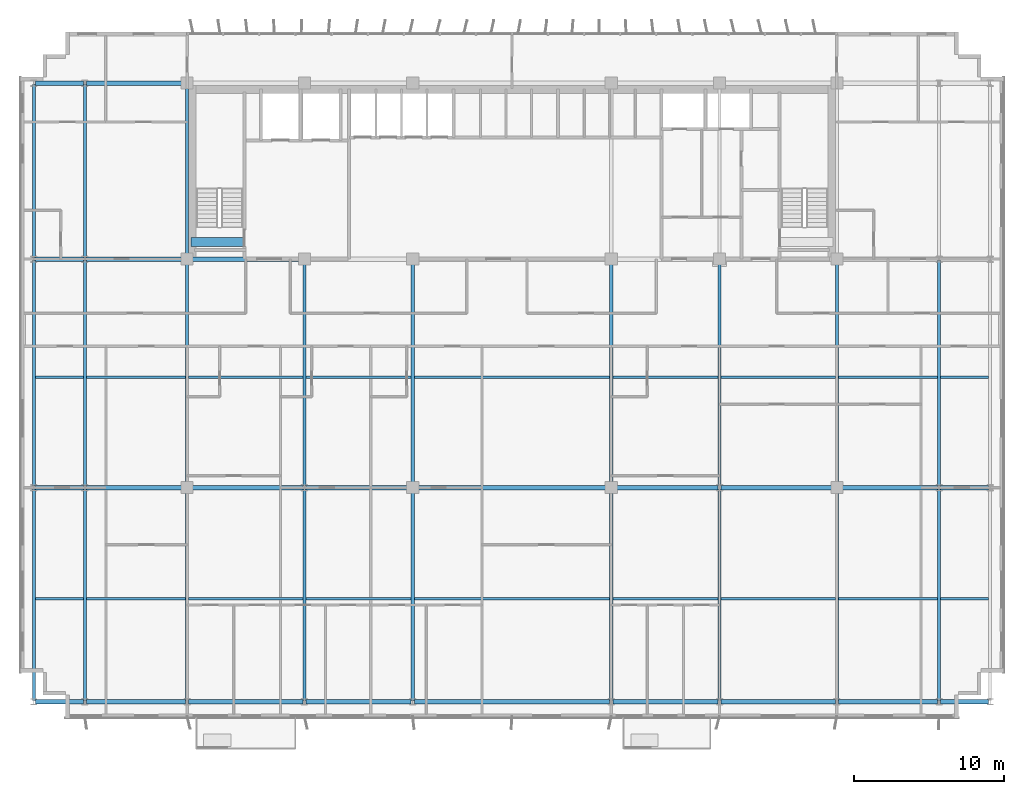
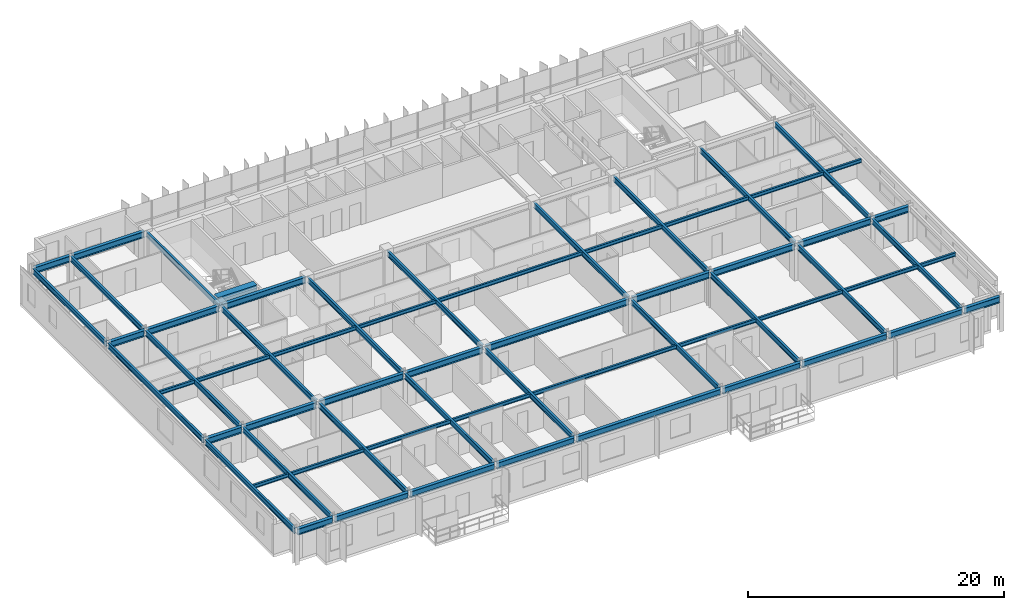
# One storey, part 4 of 22: 63 beams.
"""IFC4 building model written with IfcOpenShell, lengths in metres."""

import ifcopenshell
import ifcopenshell.guid

model = None  # the IFC model being written
_history = None  # IfcOwnerHistory: only IFC2X3 demands one
_inside = {}  # id of a spatial element -> (the spatial element, [elements in it])
_under = {}  # id of a project, library or spatial element -> (it, [spatial elements below it])
_declared = {}  # id of a project -> (the project, [libraries it declares])
_typed = {}  # id of a type object -> (the type object, [elements of that type])
_made_of = {}  # id of a material, layer set ... -> (it, [elements and type objects made of it])


def new_model(schema):
    """Start an empty IFC model of exactly this schema.

    Asked for "IFC4X3", IfcOpenShell would pick the latest addendum, in which some entities
    have other attributes; the version numbers below select the first issue.
    IFC2X3 requires an IfcOwnerHistory on every rooted entity: one is made here for all.
    """
    global model, _history
    if schema == "IFC4X3":
        model = ifcopenshell.file(schema_version=(4, 3, 0, 0))
    else:
        model = ifcopenshell.file(schema=schema)
    _inside.clear()
    _under.clear()
    _declared.clear()
    _typed.clear()
    _made_of.clear()
    _history = None
    if model.schema == "IFC2X3":
        org = make("IfcOrganization", Name="unknown")
        user = make(
            "IfcPersonAndOrganization",
            ThePerson=make("IfcPerson", FamilyName="unknown"),
            TheOrganization=org,
        )
        app = make(
            "IfcApplication",
            ApplicationDeveloper=org,
            Version="unknown",
            ApplicationFullName="unknown",
            ApplicationIdentifier="unknown",
        )
        _history = make(
            "IfcOwnerHistory",
            OwningUser=user,
            OwningApplication=app,
            ChangeAction="ADDED",
            CreationDate=0,
        )
    return model


def make(cls, **values):
    """One entity of the class cls with the attributes given. An attribute that is None is left unset."""
    return model.create_entity(
        cls, **{name: value for name, value in values.items() if value is not None}
    )


def rooted(cls, **values):
    """An entity with a GlobalId (a new one), such as an element, a storey or a relation."""
    return make(cls, GlobalId=ifcopenshell.guid.new(), OwnerHistory=_history, **values)


def si_unit(unit_type, name, prefix=None):
    """IfcSIUnit, for example si_unit("LENGTHUNIT", "METRE", prefix="MILLI")."""
    return make("IfcSIUnit", UnitType=unit_type, Prefix=prefix, Name=name)


def assignment(units):
    """IfcUnitAssignment: the units of a project."""
    return None if units is None else make("IfcUnitAssignment", Units=units)


def point(xyz):
    """IfcCartesianPoint."""
    return None if xyz is None else make("IfcCartesianPoint", Coordinates=xyz)


def direction(xyz):
    """IfcDirection."""
    return None if xyz is None else make("IfcDirection", DirectionRatios=xyz)


def frame(location, z_axis=None, x_axis=None):
    """IfcAxis2Placement3D, a coordinate frame: its origin and axes. An axis left out is left unset."""
    return make(
        "IfcAxis2Placement3D",
        Location=point(location),
        Axis=direction(z_axis),
        RefDirection=direction(x_axis),
    )


def frame_2d(location, x_axis=None):
    """IfcAxis2Placement2D, a coordinate frame in the plane: its origin and x axis."""
    return make(
        "IfcAxis2Placement2D", Location=point(location), RefDirection=direction(x_axis)
    )


def origin():
    """The frame at (0, 0, 0) with its axes left unset."""
    return frame((0.0, 0.0, 0.0))


def origin_2d():
    """The frame at (0, 0) in the plane with its x axis left unset."""
    return frame_2d((0.0, 0.0))


def place(relative_to, where):
    """IfcLocalPlacement: puts the frame where relative to a parent placement (None: the world)."""
    return make(
        "IfcLocalPlacement", PlacementRelTo=relative_to, RelativePlacement=where
    )


def context(
    kind, dimensions, precision=None, world=None, true_north=None, identifier=None
):
    """IfcGeometricRepresentationContext, for example the 3D "Model" context."""
    return make(
        "IfcGeometricRepresentationContext",
        ContextIdentifier=identifier,
        ContextType=kind,
        CoordinateSpaceDimension=dimensions,
        Precision=precision,
        WorldCoordinateSystem=world,
        TrueNorth=true_north,
    )


def subcontext(parent, identifier, kind, view, scale=None):
    """IfcGeometricRepresentationSubContext, for example "Body" below "Model"."""
    return make(
        "IfcGeometricRepresentationSubContext",
        ContextIdentifier=identifier,
        ContextType=kind,
        ParentContext=parent,
        TargetScale=scale,
        TargetView=view,
    )


def project(units=None, contexts=None):
    """IfcProject with its units and contexts."""
    return rooted(
        "IfcProject",
        Name="project",
        RepresentationContexts=contexts,
        UnitsInContext=assignment(units),
    )


def spatial(cls, under=None, at=None, **own):
    """A site, building, storey or space (cls), placed at a placement, below another one or the project."""
    s = rooted(cls, ObjectPlacement=at, **own)
    if under is not None:
        _under.setdefault(under.id(), (under, []))[1].append(s)
    return s


def profile(cls, at=None, kind="AREA", **sizes):
    """A parametric profile (cls). Its sizes go by their IFC names, for example OverallWidth=200.0."""
    return make(cls, ProfileType=kind, Position=at, **sizes)


def rectangle(**sizes):
    """IfcRectangleProfileDef."""
    return profile("IfcRectangleProfileDef", **sizes)


def i_section(**sizes):
    """IfcIShapeProfileDef."""
    return profile("IfcIShapeProfileDef", **sizes)


def extrude(swept, where, along, depth):
    """IfcExtrudedAreaSolid: the profile swept, set in the frame where, extruded along a direction by depth."""
    return make(
        "IfcExtrudedAreaSolid",
        SweptArea=swept,
        Position=where,
        ExtrudedDirection=direction(along),
        Depth=depth,
    )


def shape(context_of_items, identifier, shape_type, items):
    """IfcShapeRepresentation: the items that make up one representation, for example the "Body"."""
    return make(
        "IfcShapeRepresentation",
        ContextOfItems=context_of_items,
        RepresentationIdentifier=identifier,
        RepresentationType=shape_type,
        Items=items,
    )


def source(mapping_origin, context_of_items, identifier, shape_type, items):
    """IfcRepresentationMap: a shape defined once, which mapped items show again and again."""
    return make(
        "IfcRepresentationMap",
        MappingOrigin=mapping_origin,
        MappedRepresentation=shape(context_of_items, identifier, shape_type, items),
    )


def transform(
    local_origin,
    x_axis=None,
    y_axis=None,
    z_axis=None,
    scale=None,
    scale2=None,
    scale3=None,
    uniform=True,
):
    """IfcCartesianTransformationOperator3D, or its non-uniform kind. x_axis, y_axis, z_axis: its Axis1, 2, 3."""
    if uniform:
        return make(
            "IfcCartesianTransformationOperator3D",
            Axis1=direction(x_axis),
            Axis2=direction(y_axis),
            LocalOrigin=point(local_origin),
            Scale=scale,
            Axis3=direction(z_axis),
        )
    return make(
        "IfcCartesianTransformationOperator3DnonUniform",
        Axis1=direction(x_axis),
        Axis2=direction(y_axis),
        LocalOrigin=point(local_origin),
        Scale=scale,
        Axis3=direction(z_axis),
        Scale2=scale2,
        Scale3=scale3,
    )


def mapped(mapping_source, mapping_target):
    """IfcMappedItem: shows the shape of a source again, moved by a transform."""
    return make(
        "IfcMappedItem", MappingSource=mapping_source, MappingTarget=mapping_target
    )


def material(Name=None, Category=None):
    """IfcMaterial."""
    return make("IfcMaterial", Name=Name, Category=Category)


def material_profile(
    of_material, cross_section, Name=None, Category=None, Priority=None
):
    """IfcMaterialProfile: a cross section and its material."""
    return make(
        "IfcMaterialProfile",
        Name=Name,
        Material=of_material,
        Profile=cross_section,
        Priority=Priority,
        Category=Category,
    )


def profile_set(profiles, Name=None, composite=None):
    """IfcMaterialProfileSet."""
    return make(
        "IfcMaterialProfileSet",
        Name=Name,
        MaterialProfiles=profiles,
        CompositeProfile=composite,
    )


def made_of(thing, what):
    """Note that an element or type object is made of a material, layer set ...; save() writes the relation."""
    if what is not None:
        _made_of.setdefault(what.id(), (what, []))[1].append(thing)
    return thing


def type_object(cls, material=None, **own):
    """A type object (cls), such as IfcWallType, which elements share."""
    return made_of(rooted(cls, **own), material)


def element(
    cls,
    number,
    at=None,
    inside=None,
    cuts=None,
    type_object=None,
    material=None,
    context=None,
    identifier="Body",
    shape_type=None,
    held_by="IfcProductDefinitionShape",
    body=None,
    shapes=None,
    **own,
):
    """One element of the class cls, such as IfcWall. Its Tag is "e" and its number.

    at: its placement. inside: the storey or other place that contains it. cuts: it is an
    opening in that element (IfcRelVoidsElement). A single representation is given by context,
    identifier, shape_type and body (its items); several are given by shapes. held_by: the class
    of the entity that holds the representations. save() writes the other relations.
    """
    e = rooted(cls, Tag="e%d" % number, ObjectPlacement=at, **own)
    if body is not None:
        shapes = [shape(context, identifier, shape_type, body)]
    if shapes is not None:
        e.Representation = make(held_by, Representations=shapes)
    if inside is not None:
        _inside.setdefault(inside.id(), (inside, []))[1].append(e)
    if cuts is not None:
        rooted(
            "IfcRelVoidsElement", RelatingBuildingElement=cuts, RelatedOpeningElement=e
        )
    if type_object is not None:
        _typed.setdefault(type_object.id(), (type_object, []))[1].append(e)
    return made_of(e, material)


def aggregate(whole, parts):
    """IfcRelAggregates: a whole, such as a stair, and the parts it consists of."""
    return rooted("IfcRelAggregates", RelatingObject=whole, RelatedObjects=parts)


def save(model, path):
    """Write the relations noted so far, then the file.

    IfcRelAggregates (storeys below a building ...), IfcRelContainedInSpatialStructure (elements
    in a storey), IfcRelDefinesByType, IfcRelAssociatesMaterial and IfcRelDeclares: one each for
    every whole, place, type object, material and project.
    """
    for whole, parts in _under.values():
        aggregate(whole, parts)
    for where, things in _inside.values():
        rooted(
            "IfcRelContainedInSpatialStructure",
            RelatedElements=things,
            RelatingStructure=where,
        )
    for kind, things in _typed.values():
        rooted("IfcRelDefinesByType", RelatedObjects=things, RelatingType=kind)
    for what, things in _made_of.values():
        rooted("IfcRelAssociatesMaterial", RelatedObjects=things, RelatingMaterial=what)
    for by, libraries in _declared.values():
        rooted("IfcRelDeclares", RelatingContext=by, RelatedDefinitions=libraries)
    model.write(path)


model = new_model("IFC4")

# Units and contexts
model_context = context("Model", 3, precision=1e-05, world=origin(), true_north=direction((0.0, 1.0)))
body_context = subcontext(model_context, "Body", "Model", "MODEL_VIEW")
ifc_project = project(units=[si_unit("LENGTHUNIT", "METRE"), si_unit("AREAUNIT", "SQUARE_METRE"), si_unit("VOLUMEUNIT", "CUBIC_METRE"), si_unit("PLANEANGLEUNIT", "RADIAN"), si_unit("MASSUNIT", "GRAM", prefix="KILO")], contexts=[model_context])

# Site, building, storey
site_placement = place(None, origin())
site = spatial("IfcSite", under=ifc_project, at=site_placement, CompositionType="ELEMENT")
building_placement = place(site_placement, origin())
building = spatial("IfcBuilding", under=site, at=building_placement, Name="Trelvane Seafront Commons", CompositionType="ELEMENT")
storey_placement = place(building_placement, frame((0.0, 0.0, 114.10009765625)))
storey = spatial("IfcBuildingStorey", under=building, at=storey_placement, Name="L29", CompositionType="ELEMENT", Elevation=114.10009765625)

# Beams
ifc_material_1 = material(Name="Concrete C60/75", Category="concrete")
ifc_material_profile_1 = material_profile(ifc_material_1, rectangle(XDim=0.60009765625, YDim=0.89990234375, at=origin_2d()), Name="RC-600x900")
ifc_profile_set_1 = profile_set([ifc_material_profile_1], Name="Concrete C60/75")
beam_type_1 = type_object("IfcBeamType", Name="STR-LNT-RC600x900", PredefinedType="LINTEL", material=ifc_profile_set_1)
shared_shape_1 = source(origin(), body_context, "Body", "SweptSolid", [
    extrude(rectangle(XDim=0.60009765625, YDim=0.89990234375, at=origin_2d()), origin(), (0.0, 0.0, 1.0), 3.5498046875),
])
beam_1_placement = place(storey_placement, frame((15.85009765625, 34.550048828125, 2.889892578125), z_axis=(1.0, 0.0, 0.0), x_axis=(0.0, 1.0, 0.0)))
element("IfcBeam", 1, at=beam_1_placement, inside=storey, type_object=beam_type_1, Name="L29 Core Coupling Lintel Beam CB-85", PredefinedType="LINTEL", context=body_context, shape_type="MappedRepresentation", body=[
    mapped(shared_shape_1, transform((0.0, 0.0, 0.0), x_axis=(1.0, 0.0, 0.0), y_axis=(0.0, 1.0, 0.0), z_axis=(0.0, 0.0, 1.0), scale=1.0)),
])
ifc_material_2 = material(Name="Steel SM355 (S355)", Category="steel")
ifc_material_profile_2 = material_profile(ifc_material_2, i_section(OverallWidth=0.300048828125, OverallDepth=0.587890625, WebThickness=0.011962890625, FlangeThickness=0.02001953125, at=origin_2d()), Name="H-588x300x12x20")
ifc_profile_set_2 = profile_set([ifc_material_profile_2], Name="Steel SM355 (S355)")
beam_type_2 = type_object("IfcBeamType", Name="STR-BM-H588", PredefinedType="BEAM", material=ifc_profile_set_2)
shared_shape_2 = source(origin(), body_context, "Body", "SweptSolid", [
    extrude(i_section(OverallWidth=0.300048828125, OverallDepth=0.587890625, WebThickness=0.011962890625, FlangeThickness=0.02001953125, at=origin_2d()), origin(), (0.0, 0.0, 1.0), 7.550048828125),
])
beam_2_placement = place(storey_placement, frame((15.75, 18.199951171875, 3.0458984375), z_axis=(1.0, 0.0, 0.0), x_axis=(0.0, 1.0, 0.0)))
element("IfcBeam", 2, at=beam_2_placement, inside=storey, type_object=beam_type_2, Name="L29 Primary Girder G-12", PredefinedType="BEAM", context=body_context, shape_type="MappedRepresentation", body=[
    mapped(shared_shape_2, transform((0.0, 0.0, 0.0), x_axis=(1.0, 0.0, 0.0), y_axis=(0.0, 1.0, 0.0), z_axis=(0.0, 0.0, 1.0), scale=1.0)),
])
shared_shape_3 = source(origin(), body_context, "Body", "SweptSolid", [
    extrude(i_section(OverallWidth=0.300048828125, OverallDepth=0.587890625, WebThickness=0.011962890625, FlangeThickness=0.02001953125, at=origin_2d()), origin(), (0.0, 0.0, 1.0), 3.199951171875),
])
for number, where, z_axis, x_axis, name in (
    (3, (5.5, 3.949951171875, 3.0458984375), (1.0, 0.0, 0.0), (0.0, 1.0, 0.0), "L29 Primary Girder G-01"),
    (4, (65.699951171875, 3.949951171875, 3.0458984375), (1.0, 0.0, 0.0), (0.0, 1.0, 0.0), "L29 Primary Girder G-09"),
    (5, (5.5, 18.199951171875, 3.0458984375), (1.0, 0.0, 0.0), (0.0, 1.0, 0.0), "L29 Primary Girder G-10"),
    (6, (65.699951171875, 18.199951171875, 3.0458984375), (1.0, 0.0, 0.0), (0.0, 1.0, 0.0), "L29 Primary Girder G-18"),
    (7, (5.5, 33.39990234375, 3.0458984375), (1.0, 0.0, 0.0), (0.0, 1.0, 0.0), "L29 Primary Girder G-19"),
    (8, (5.5, 45.10009765625, 3.0458984375), (1.0, 0.0, 0.0), (0.0, 1.0, 0.0), "L29 Primary Girder G-28"),
):
    element("IfcBeam", number, at=place(storey_placement, frame(where, z_axis=z_axis, x_axis=x_axis)), inside=storey, type_object=beam_type_2, Name=name, PredefinedType="BEAM", context=body_context, shape_type="MappedRepresentation", body=[
        mapped(shared_shape_3, transform((0.0, 0.0, 0.0), x_axis=(1.0, 0.0, 0.0), y_axis=(0.0, 1.0, 0.0), z_axis=(0.0, 0.0, 1.0), scale=1.0)),
    ])
shared_shape_4 = source(origin(), body_context, "Body", "SweptSolid", [
    extrude(i_section(OverallWidth=0.300048828125, OverallDepth=0.587890625, WebThickness=0.011962890625, FlangeThickness=0.02001953125, at=origin_2d()), origin(), (0.0, 0.0, 1.0), 6.60009765625),
])
for number, where, z_axis, x_axis, name in (
    (9, (8.89990234375, 3.949951171875, 3.0458984375), (1.0, 0.0, 0.0), (0.0, 1.0, 0.0), "L29 Primary Girder G-02"),
    (10, (58.89990234375, 3.949951171875, 3.0458984375), (1.0, 0.0, 0.0), (0.0, 1.0, 0.0), "L29 Primary Girder G-08"),
):
    element("IfcBeam", number, at=place(storey_placement, frame(where, z_axis=z_axis, x_axis=x_axis)), inside=storey, type_object=beam_type_2, Name=name, PredefinedType="BEAM", context=body_context, shape_type="MappedRepresentation", body=[
        mapped(shared_shape_4, transform((0.0, 0.0, 0.0), x_axis=(1.0, 0.0, 0.0), y_axis=(0.0, 1.0, 0.0), z_axis=(0.0, 0.0, 1.0), scale=1.0)),
    ])
shared_shape_5 = source(origin(), body_context, "Body", "SweptSolid", [
    extrude(i_section(OverallWidth=0.300048828125, OverallDepth=0.587890625, WebThickness=0.011962890625, FlangeThickness=0.02001953125, at=origin_2d()), origin(), (0.0, 0.0, 1.0), 7.60009765625),
])
beam_3_placement = place(storey_placement, frame((15.699951171875, 3.949951171875, 3.0458984375), z_axis=(1.0, 0.0, 0.0), x_axis=(0.0, 1.0, 0.0)))
element("IfcBeam", 11, at=beam_3_placement, inside=storey, type_object=beam_type_2, Name="L29 Primary Girder G-03", PredefinedType="BEAM", context=body_context, shape_type="MappedRepresentation", body=[
    mapped(shared_shape_5, transform((0.0, 0.0, 0.0), x_axis=(1.0, 0.0, 0.0), y_axis=(0.0, 1.0, 0.0), z_axis=(0.0, 0.0, 1.0), scale=1.0)),
])
shared_shape_6 = source(origin(), body_context, "Body", "SweptSolid", [
    extrude(i_section(OverallWidth=0.300048828125, OverallDepth=0.587890625, WebThickness=0.011962890625, FlangeThickness=0.02001953125, at=origin_2d()), origin(), (0.0, 0.0, 1.0), 7.0),
])
for number, where, z_axis, x_axis, name in (
    (12, (23.5, 3.949951171875, 3.0458984375), (1.0, 0.0, 0.0), (0.0, 1.0, 0.0), "L29 Primary Girder G-04"),
    (13, (43.89990234375, 3.949951171875, 3.0458984375), (1.0, 0.0, 0.0), (0.0, 1.0, 0.0), "L29 Primary Girder G-06"),
):
    element("IfcBeam", number, at=place(storey_placement, frame(where, z_axis=z_axis, x_axis=x_axis)), inside=storey, type_object=beam_type_2, Name=name, PredefinedType="BEAM", context=body_context, shape_type="MappedRepresentation", body=[
        mapped(shared_shape_6, transform((0.0, 0.0, 0.0), x_axis=(1.0, 0.0, 0.0), y_axis=(0.0, 1.0, 0.0), z_axis=(0.0, 0.0, 1.0), scale=1.0)),
    ])
shared_shape_7 = source(origin(), body_context, "Body", "SweptSolid", [
    extrude(i_section(OverallWidth=0.300048828125, OverallDepth=0.587890625, WebThickness=0.011962890625, FlangeThickness=0.02001953125, at=origin_2d()), origin(), (0.0, 0.0, 1.0), 13.0),
])
beam_4_placement = place(storey_placement, frame((30.699951171875, 3.949951171875, 3.0458984375), z_axis=(1.0, 0.0, 0.0), x_axis=(0.0, 1.0, 0.0)))
element("IfcBeam", 14, at=beam_4_placement, inside=storey, type_object=beam_type_2, Name="L29 Primary Girder G-05", PredefinedType="BEAM", context=body_context, shape_type="MappedRepresentation", body=[
    mapped(shared_shape_7, transform((0.0, 0.0, 0.0), x_axis=(1.0, 0.0, 0.0), y_axis=(0.0, 1.0, 0.0), z_axis=(0.0, 0.0, 1.0), scale=1.0)),
])
shared_shape_8 = source(origin(), body_context, "Body", "SweptSolid", [
    extrude(i_section(OverallWidth=0.300048828125, OverallDepth=0.587890625, WebThickness=0.011962890625, FlangeThickness=0.02001953125, at=origin_2d()), origin(), (0.0, 0.0, 1.0), 7.599853515625),
])
beam_5_placement = place(storey_placement, frame((51.10009765625, 3.949951171875, 3.0458984375), z_axis=(1.0, 0.0, 0.0), x_axis=(0.0, 1.0, 0.0)))
element("IfcBeam", 15, at=beam_5_placement, inside=storey, type_object=beam_type_2, Name="L29 Primary Girder G-07", PredefinedType="BEAM", context=body_context, shape_type="MappedRepresentation", body=[
    mapped(shared_shape_8, transform((0.0, 0.0, 0.0), x_axis=(1.0, 0.0, 0.0), y_axis=(0.0, 1.0, 0.0), z_axis=(0.0, 0.0, 1.0), scale=1.0)),
])
shared_shape_9 = source(origin(), body_context, "Body", "SweptSolid", [
    extrude(i_section(OverallWidth=0.300048828125, OverallDepth=0.587890625, WebThickness=0.011962890625, FlangeThickness=0.02001953125, at=origin_2d()), origin(), (0.0, 0.0, 1.0), 6.550048828125),
])
for number, where, z_axis, x_axis, name in (
    (16, (8.89990234375, 18.199951171875, 3.0458984375), (1.0, 0.0, 0.0), (0.0, 1.0, 0.0), "L29 Primary Girder G-11"),
    (17, (58.949951171875, 18.199951171875, 3.0458984375), (1.0, 0.0, 0.0), (0.0, 1.0, 0.0), "L29 Primary Girder G-17"),
    (18, (8.89990234375, 33.39990234375, 3.0458984375), (1.0, 0.0, 0.0), (0.0, 1.0, 0.0), "L29 Primary Girder G-20"),
    (19, (8.89990234375, 45.10009765625, 3.0458984375), (1.0, 0.0, 0.0), (0.0, 1.0, 0.0), "L29 Primary Girder G-29"),
):
    element("IfcBeam", number, at=place(storey_placement, frame(where, z_axis=z_axis, x_axis=x_axis)), inside=storey, type_object=beam_type_2, Name=name, PredefinedType="BEAM", context=body_context, shape_type="MappedRepresentation", body=[
        mapped(shared_shape_9, transform((0.0, 0.0, 0.0), x_axis=(1.0, 0.0, 0.0), y_axis=(0.0, 1.0, 0.0), z_axis=(0.0, 0.0, 1.0), scale=1.0)),
    ])
shared_shape_10 = source(origin(), body_context, "Body", "SweptSolid", [
    extrude(i_section(OverallWidth=0.300048828125, OverallDepth=0.587890625, WebThickness=0.011962890625, FlangeThickness=0.02001953125, at=origin_2d()), origin(), (0.0, 0.0, 1.0), 6.949951171875),
])
for number, where, z_axis, x_axis, name in (
    (20, (23.5, 18.199951171875, 3.0458984375), (1.0, 0.0, 0.0), (0.0, 1.0, 0.0), "L29 Primary Girder G-13"),
    (21, (43.949951171875, 18.199951171875, 3.0458984375), (1.0, 0.0, 0.0), (0.0, 1.0, 0.0), "L29 Primary Girder G-15"),
):
    element("IfcBeam", number, at=place(storey_placement, frame(where, z_axis=z_axis, x_axis=x_axis)), inside=storey, type_object=beam_type_2, Name=name, PredefinedType="BEAM", context=body_context, shape_type="MappedRepresentation", body=[
        mapped(shared_shape_10, transform((0.0, 0.0, 0.0), x_axis=(1.0, 0.0, 0.0), y_axis=(0.0, 1.0, 0.0), z_axis=(0.0, 0.0, 1.0), scale=1.0)),
    ])
shared_shape_11 = source(origin(), body_context, "Body", "SweptSolid", [
    extrude(i_section(OverallWidth=0.300048828125, OverallDepth=0.587890625, WebThickness=0.011962890625, FlangeThickness=0.02001953125, at=origin_2d()), origin(), (0.0, 0.0, 1.0), 12.89990234375),
])
beam_6_placement = place(storey_placement, frame((30.75, 18.199951171875, 3.0458984375), z_axis=(1.0, 0.0, 0.0), x_axis=(0.0, 1.0, 0.0)))
element("IfcBeam", 22, at=beam_6_placement, inside=storey, type_object=beam_type_2, Name="L29 Primary Girder G-14", PredefinedType="BEAM", context=body_context, shape_type="MappedRepresentation", body=[
    mapped(shared_shape_11, transform((0.0, 0.0, 0.0), x_axis=(1.0, 0.0, 0.0), y_axis=(0.0, 1.0, 0.0), z_axis=(0.0, 0.0, 1.0), scale=1.0)),
])
shared_shape_12 = source(origin(), body_context, "Body", "SweptSolid", [
    extrude(i_section(OverallWidth=0.300048828125, OverallDepth=0.587890625, WebThickness=0.011962890625, FlangeThickness=0.02001953125, at=origin_2d()), origin(), (0.0, 0.0, 1.0), 7.5498046875),
])
beam_7_placement = place(storey_placement, frame((51.10009765625, 18.199951171875, 3.0458984375), z_axis=(1.0, 0.0, 0.0), x_axis=(0.0, 1.0, 0.0)))
element("IfcBeam", 23, at=beam_7_placement, inside=storey, type_object=beam_type_2, Name="L29 Primary Girder G-16", PredefinedType="BEAM", context=body_context, shape_type="MappedRepresentation", body=[
    mapped(shared_shape_12, transform((0.0, 0.0, 0.0), x_axis=(1.0, 0.0, 0.0), y_axis=(0.0, 1.0, 0.0), z_axis=(0.0, 0.0, 1.0), scale=1.0)),
])
shared_shape_13 = source(origin(), body_context, "Body", "SweptSolid", [
    extrude(i_section(OverallWidth=0.300048828125, OverallDepth=0.587890625, WebThickness=0.011962890625, FlangeThickness=0.02001953125, at=origin_2d()), origin(), (0.0, 0.0, 1.0), 7.5),
])
beam_8_placement = place(storey_placement, frame((15.75, 33.39990234375, 3.0458984375), z_axis=(1.0, 0.0, 0.0), x_axis=(0.0, 1.0, 0.0)))
element("IfcBeam", 24, at=beam_8_placement, inside=storey, type_object=beam_type_2, Name="L29 Primary Girder G-21", PredefinedType="BEAM", context=body_context, shape_type="MappedRepresentation", body=[
    mapped(shared_shape_13, transform((0.0, 0.0, 0.0), x_axis=(1.0, 0.0, 0.0), y_axis=(0.0, 1.0, 0.0), z_axis=(0.0, 0.0, 1.0), scale=1.0)),
])
ifc_material_profile_3 = material_profile(ifc_material_2, i_section(OverallWidth=0.199951171875, OverallDepth=0.5, WebThickness=0.010009765625, FlangeThickness=0.01611328125, at=origin_2d()), Name="H-500x200x10x16")
ifc_profile_set_3 = profile_set([ifc_material_profile_3], Name="Steel SM355 (S355)")
beam_type_3 = type_object("IfcBeamType", Name="STR-BM-H500", PredefinedType="BEAM", material=ifc_profile_set_3)
shared_shape_14 = source(origin(), body_context, "Body", "SweptSolid", [
    extrude(i_section(OverallWidth=0.199951171875, OverallDepth=0.5, WebThickness=0.010009765625, FlangeThickness=0.01611328125, at=origin_2d()), origin(), (0.0, 0.0, 1.0), 14.050048828125),
])
for number, where, z_axis, x_axis, name in (
    (25, (5.39990234375, 4.050048828125, 3.08984375), (0.0, 1.0, 0.0), (-1.0, 0.0, 0.0), "L29 Primary Girder G-37"),
    (26, (8.800048828125, 4.050048828125, 3.08984375), (0.0, 1.0, 0.0), (-1.0, 0.0, 0.0), "L29 Primary Girder G-40"),
    (27, (23.39990234375, 4.050048828125, 3.08984375), (0.0, 1.0, 0.0), (-1.0, 0.0, 0.0), "L29 Primary Girder G-46"),
    (28, (51.0, 4.050048828125, 3.08984375), (0.0, 1.0, 0.0), (-1.0, 0.0, 0.0), "L29 Primary Girder G-55"),
    (29, (65.60009765625, 4.050048828125, 3.08984375), (0.0, 1.0, 0.0), (-1.0, 0.0, 0.0), "L29 Primary Girder G-61"),
):
    element("IfcBeam", number, at=place(storey_placement, frame(where, z_axis=z_axis, x_axis=x_axis)), inside=storey, type_object=beam_type_3, Name=name, PredefinedType="BEAM", context=body_context, shape_type="MappedRepresentation", body=[
        mapped(shared_shape_14, transform((0.0, 0.0, 0.0), x_axis=(1.0, 0.0, 0.0), y_axis=(0.0, 1.0, 0.0), z_axis=(0.0, 0.0, 1.0), scale=1.0)),
    ])
shared_shape_15 = source(origin(), body_context, "Body", "SweptSolid", [
    extrude(i_section(OverallWidth=0.199951171875, OverallDepth=0.5, WebThickness=0.010009765625, FlangeThickness=0.01611328125, at=origin_2d()), origin(), (0.0, 0.0, 1.0), 15.0),
])
for number, where, z_axis, x_axis, name in (
    (30, (5.39990234375, 18.300048828125, 3.08984375), (0.0, 1.0, 0.0), (-1.0, 0.0, 0.0), "L29 Primary Girder G-38"),
    (31, (8.800048828125, 18.300048828125, 3.08984375), (0.0, 1.0, 0.0), (-1.0, 0.0, 0.0), "L29 Primary Girder G-41"),
    (32, (65.60009765625, 18.300048828125, 3.08984375), (0.0, 1.0, 0.0), (-1.0, 0.0, 0.0), "L29 Primary Girder G-62"),
):
    element("IfcBeam", number, at=place(storey_placement, frame(where, z_axis=z_axis, x_axis=x_axis)), inside=storey, type_object=beam_type_3, Name=name, PredefinedType="BEAM", context=body_context, shape_type="MappedRepresentation", body=[
        mapped(shared_shape_15, transform((0.0, 0.0, 0.0), x_axis=(1.0, 0.0, 0.0), y_axis=(0.0, 1.0, 0.0), z_axis=(0.0, 0.0, 1.0), scale=1.0)),
    ])
shared_shape_16 = source(origin(), body_context, "Body", "SweptSolid", [
    extrude(i_section(OverallWidth=0.199951171875, OverallDepth=0.5, WebThickness=0.010009765625, FlangeThickness=0.01611328125, at=origin_2d()), origin(), (0.0, 0.0, 1.0), 11.5),
])
for number, where, z_axis, x_axis, name in (
    (33, (5.39990234375, 33.5, 3.08984375), (0.0, 1.0, 0.0), (-1.0, 0.0, 0.0), "L29 Primary Girder G-39"),
    (34, (8.800048828125, 33.5, 3.08984375), (0.0, 1.0, 0.0), (-1.0, 0.0, 0.0), "L29 Primary Girder G-42"),
):
    element("IfcBeam", number, at=place(storey_placement, frame(where, z_axis=z_axis, x_axis=x_axis)), inside=storey, type_object=beam_type_3, Name=name, PredefinedType="BEAM", context=body_context, shape_type="MappedRepresentation", body=[
        mapped(shared_shape_16, transform((0.0, 0.0, 0.0), x_axis=(1.0, 0.0, 0.0), y_axis=(0.0, 1.0, 0.0), z_axis=(0.0, 0.0, 1.0), scale=1.0)),
    ])
shared_shape_17 = source(origin(), body_context, "Body", "SweptSolid", [
    extrude(i_section(OverallWidth=0.199951171875, OverallDepth=0.5, WebThickness=0.010009765625, FlangeThickness=0.01611328125, at=origin_2d()), origin(), (0.0, 0.0, 1.0), 14.0),
])
for number, where, z_axis, x_axis, name in (
    (35, (15.60009765625, 4.050048828125, 3.08984375), (0.0, 1.0, 0.0), (-1.0, 0.0, 0.0), "L29 Primary Girder G-43"),
    (36, (30.60009765625, 4.050048828125, 3.08984375), (0.0, 1.0, 0.0), (-1.0, 0.0, 0.0), "L29 Primary Girder G-49"),
    (37, (43.800048828125, 4.050048828125, 3.08984375), (0.0, 1.0, 0.0), (-1.0, 0.0, 0.0), "L29 Primary Girder G-52"),
    (38, (58.800048828125, 4.050048828125, 3.08984375), (0.0, 1.0, 0.0), (-1.0, 0.0, 0.0), "L29 Primary Girder G-58"),
):
    element("IfcBeam", number, at=place(storey_placement, frame(where, z_axis=z_axis, x_axis=x_axis)), inside=storey, type_object=beam_type_3, Name=name, PredefinedType="BEAM", context=body_context, shape_type="MappedRepresentation", body=[
        mapped(shared_shape_17, transform((0.0, 0.0, 0.0), x_axis=(1.0, 0.0, 0.0), y_axis=(0.0, 1.0, 0.0), z_axis=(0.0, 0.0, 1.0), scale=1.0)),
    ])
shared_shape_18 = source(origin(), body_context, "Body", "SweptSolid", [
    extrude(i_section(OverallWidth=0.199951171875, OverallDepth=0.5, WebThickness=0.010009765625, FlangeThickness=0.01611328125, at=origin_2d()), origin(), (0.0, 0.0, 1.0), 14.89990234375),
])
for number, where, z_axis, x_axis, name in (
    (39, (15.60009765625, 18.35009765625, 3.08984375), (0.0, 1.0, 0.0), (-1.0, 0.0, 0.0), "L29 Primary Girder G-44"),
    (40, (30.60009765625, 18.35009765625, 3.08984375), (0.0, 1.0, 0.0), (-1.0, 0.0, 0.0), "L29 Primary Girder G-50"),
    (41, (43.800048828125, 18.35009765625, 3.08984375), (0.0, 1.0, 0.0), (-1.0, 0.0, 0.0), "L29 Primary Girder G-53"),
    (42, (58.800048828125, 18.35009765625, 3.08984375), (0.0, 1.0, 0.0), (-1.0, 0.0, 0.0), "L29 Primary Girder G-59"),
):
    element("IfcBeam", number, at=place(storey_placement, frame(where, z_axis=z_axis, x_axis=x_axis)), inside=storey, type_object=beam_type_3, Name=name, PredefinedType="BEAM", context=body_context, shape_type="MappedRepresentation", body=[
        mapped(shared_shape_18, transform((0.0, 0.0, 0.0), x_axis=(1.0, 0.0, 0.0), y_axis=(0.0, 1.0, 0.0), z_axis=(0.0, 0.0, 1.0), scale=1.0)),
    ])
shared_shape_19 = source(origin(), body_context, "Body", "SweptSolid", [
    extrude(i_section(OverallWidth=0.199951171875, OverallDepth=0.5, WebThickness=0.010009765625, FlangeThickness=0.01611328125, at=origin_2d()), origin(), (0.0, 0.0, 1.0), 11.39990234375),
])
beam_9_placement = place(storey_placement, frame((15.60009765625, 33.550048828125, 3.08984375), z_axis=(0.0, 1.0, 0.0), x_axis=(-1.0, 0.0, 0.0)))
element("IfcBeam", 43, at=beam_9_placement, inside=storey, type_object=beam_type_3, Name="L29 Primary Girder G-45", PredefinedType="BEAM", context=body_context, shape_type="MappedRepresentation", body=[
    mapped(shared_shape_19, transform((0.0, 0.0, 0.0), x_axis=(1.0, 0.0, 0.0), y_axis=(0.0, 1.0, 0.0), z_axis=(0.0, 0.0, 1.0), scale=1.0)),
])
shared_shape_20 = source(origin(), body_context, "Body", "SweptSolid", [
    extrude(i_section(OverallWidth=0.199951171875, OverallDepth=0.5, WebThickness=0.010009765625, FlangeThickness=0.01611328125, at=origin_2d()), origin(), (0.0, 0.0, 1.0), 14.949951171875),
])
for number, where, z_axis, x_axis, name in (
    (44, (23.39990234375, 18.300048828125, 3.08984375), (0.0, 1.0, 0.0), (-1.0, 0.0, 0.0), "L29 Primary Girder G-47"),
    (45, (51.0, 18.300048828125, 3.08984375), (0.0, 1.0, 0.0), (-1.0, 0.0, 0.0), "L29 Primary Girder G-56"),
):
    element("IfcBeam", number, at=place(storey_placement, frame(where, z_axis=z_axis, x_axis=x_axis)), inside=storey, type_object=beam_type_3, Name=name, PredefinedType="BEAM", context=body_context, shape_type="MappedRepresentation", body=[
        mapped(shared_shape_20, transform((0.0, 0.0, 0.0), x_axis=(1.0, 0.0, 0.0), y_axis=(0.0, 1.0, 0.0), z_axis=(0.0, 0.0, 1.0), scale=1.0)),
    ])
ifc_material_profile_4 = material_profile(ifc_material_2, i_section(OverallWidth=0.175048828125, OverallDepth=0.35009765625, WebThickness=0.007080078125, FlangeThickness=0.010986328125, at=origin_2d()), Name="H-350x175x7x11")
ifc_profile_set_4 = profile_set([ifc_material_profile_4], Name="Steel SM355 (S355)")
beam_type_4 = type_object("IfcBeamType", Name="STR-JST-H350", PredefinedType="JOIST", material=ifc_profile_set_4)
shared_shape_21 = source(origin(), body_context, "Body", "SweptSolid", [
    extrude(i_section(OverallWidth=0.175048828125, OverallDepth=0.35009765625, WebThickness=0.007080078125, FlangeThickness=0.010986328125, at=origin_2d()), origin(), (0.0, 0.0, 1.0), 3.199951171875),
])
for number, where, z_axis, x_axis, name in (
    (46, (5.5, 10.824951171875, 3.164794921875), (1.0, 0.0, 0.0), (0.0, 1.0, 0.0), "L29 Secondary Floor Joist B-67"),
    (47, (65.699951171875, 10.824951171875, 3.164794921875), (1.0, 0.0, 0.0), (0.0, 1.0, 0.0), "L29 Secondary Floor Joist B-75"),
    (48, (5.5, 25.550048828125, 3.164794921875), (1.0, 0.0, 0.0), (0.0, 1.0, 0.0), "L29 Secondary Floor Joist B-76"),
    (49, (65.699951171875, 25.550048828125, 3.164794921875), (1.0, 0.0, 0.0), (0.0, 1.0, 0.0), "L29 Secondary Floor Joist B-84"),
):
    element("IfcBeam", number, at=place(storey_placement, frame(where, z_axis=z_axis, x_axis=x_axis)), inside=storey, type_object=beam_type_4, Name=name, PredefinedType="JOIST", context=body_context, shape_type="MappedRepresentation", body=[
        mapped(shared_shape_21, transform((0.0, 0.0, 0.0), x_axis=(1.0, 0.0, 0.0), y_axis=(0.0, 1.0, 0.0), z_axis=(0.0, 0.0, 1.0), scale=1.0)),
    ])
shared_shape_22 = source(origin(), body_context, "Body", "SweptSolid", [
    extrude(i_section(OverallWidth=0.175048828125, OverallDepth=0.35009765625, WebThickness=0.007080078125, FlangeThickness=0.010986328125, at=origin_2d()), origin(), (0.0, 0.0, 1.0), 6.60009765625),
])
for number, where, z_axis, x_axis, name in (
    (50, (8.89990234375, 10.824951171875, 3.164794921875), (1.0, 0.0, 0.0), (0.0, 1.0, 0.0), "L29 Secondary Floor Joist B-68"),
    (51, (58.89990234375, 10.824951171875, 3.164794921875), (1.0, 0.0, 0.0), (0.0, 1.0, 0.0), "L29 Secondary Floor Joist B-74"),
    (52, (8.89990234375, 25.550048828125, 3.164794921875), (1.0, 0.0, 0.0), (0.0, 1.0, 0.0), "L29 Secondary Floor Joist B-77"),
    (53, (58.89990234375, 25.550048828125, 3.164794921875), (1.0, 0.0, 0.0), (0.0, 1.0, 0.0), "L29 Secondary Floor Joist B-83"),
):
    element("IfcBeam", number, at=place(storey_placement, frame(where, z_axis=z_axis, x_axis=x_axis)), inside=storey, type_object=beam_type_4, Name=name, PredefinedType="JOIST", context=body_context, shape_type="MappedRepresentation", body=[
        mapped(shared_shape_22, transform((0.0, 0.0, 0.0), x_axis=(1.0, 0.0, 0.0), y_axis=(0.0, 1.0, 0.0), z_axis=(0.0, 0.0, 1.0), scale=1.0)),
    ])
shared_shape_23 = source(origin(), body_context, "Body", "SweptSolid", [
    extrude(i_section(OverallWidth=0.175048828125, OverallDepth=0.35009765625, WebThickness=0.007080078125, FlangeThickness=0.010986328125, at=origin_2d()), origin(), (0.0, 0.0, 1.0), 7.60009765625),
])
for number, where, z_axis, x_axis, name in (
    (54, (15.699951171875, 10.824951171875, 3.164794921875), (1.0, 0.0, 0.0), (0.0, 1.0, 0.0), "L29 Secondary Floor Joist B-69"),
    (55, (15.699951171875, 25.550048828125, 3.164794921875), (1.0, 0.0, 0.0), (0.0, 1.0, 0.0), "L29 Secondary Floor Joist B-78"),
):
    element("IfcBeam", number, at=place(storey_placement, frame(where, z_axis=z_axis, x_axis=x_axis)), inside=storey, type_object=beam_type_4, Name=name, PredefinedType="JOIST", context=body_context, shape_type="MappedRepresentation", body=[
        mapped(shared_shape_23, transform((0.0, 0.0, 0.0), x_axis=(1.0, 0.0, 0.0), y_axis=(0.0, 1.0, 0.0), z_axis=(0.0, 0.0, 1.0), scale=1.0)),
    ])
shared_shape_24 = source(origin(), body_context, "Body", "SweptSolid", [
    extrude(i_section(OverallWidth=0.175048828125, OverallDepth=0.35009765625, WebThickness=0.007080078125, FlangeThickness=0.010986328125, at=origin_2d()), origin(), (0.0, 0.0, 1.0), 7.0),
])
for number, where, z_axis, x_axis, name in (
    (56, (23.5, 10.824951171875, 3.164794921875), (1.0, 0.0, 0.0), (0.0, 1.0, 0.0), "L29 Secondary Floor Joist B-70"),
    (57, (43.89990234375, 10.824951171875, 3.164794921875), (1.0, 0.0, 0.0), (0.0, 1.0, 0.0), "L29 Secondary Floor Joist B-72"),
    (58, (23.5, 25.550048828125, 3.164794921875), (1.0, 0.0, 0.0), (0.0, 1.0, 0.0), "L29 Secondary Floor Joist B-79"),
    (59, (43.89990234375, 25.550048828125, 3.164794921875), (1.0, 0.0, 0.0), (0.0, 1.0, 0.0), "L29 Secondary Floor Joist B-81"),
):
    element("IfcBeam", number, at=place(storey_placement, frame(where, z_axis=z_axis, x_axis=x_axis)), inside=storey, type_object=beam_type_4, Name=name, PredefinedType="JOIST", context=body_context, shape_type="MappedRepresentation", body=[
        mapped(shared_shape_24, transform((0.0, 0.0, 0.0), x_axis=(1.0, 0.0, 0.0), y_axis=(0.0, 1.0, 0.0), z_axis=(0.0, 0.0, 1.0), scale=1.0)),
    ])
shared_shape_25 = source(origin(), body_context, "Body", "SweptSolid", [
    extrude(i_section(OverallWidth=0.175048828125, OverallDepth=0.35009765625, WebThickness=0.007080078125, FlangeThickness=0.010986328125, at=origin_2d()), origin(), (0.0, 0.0, 1.0), 13.0),
])
for number, where, z_axis, x_axis, name in (
    (60, (30.699951171875, 10.824951171875, 3.164794921875), (1.0, 0.0, 0.0), (0.0, 1.0, 0.0), "L29 Secondary Floor Joist B-71"),
    (61, (30.699951171875, 25.550048828125, 3.164794921875), (1.0, 0.0, 0.0), (0.0, 1.0, 0.0), "L29 Secondary Floor Joist B-80"),
):
    element("IfcBeam", number, at=place(storey_placement, frame(where, z_axis=z_axis, x_axis=x_axis)), inside=storey, type_object=beam_type_4, Name=name, PredefinedType="JOIST", context=body_context, shape_type="MappedRepresentation", body=[
        mapped(shared_shape_25, transform((0.0, 0.0, 0.0), x_axis=(1.0, 0.0, 0.0), y_axis=(0.0, 1.0, 0.0), z_axis=(0.0, 0.0, 1.0), scale=1.0)),
    ])
shared_shape_26 = source(origin(), body_context, "Body", "SweptSolid", [
    extrude(i_section(OverallWidth=0.175048828125, OverallDepth=0.35009765625, WebThickness=0.007080078125, FlangeThickness=0.010986328125, at=origin_2d()), origin(), (0.0, 0.0, 1.0), 7.599853515625),
])
for number, where, z_axis, x_axis, name in (
    (62, (51.10009765625, 10.824951171875, 3.164794921875), (1.0, 0.0, 0.0), (0.0, 1.0, 0.0), "L29 Secondary Floor Joist B-73"),
    (63, (51.10009765625, 25.550048828125, 3.164794921875), (1.0, 0.0, 0.0), (0.0, 1.0, 0.0), "L29 Secondary Floor Joist B-82"),
):
    element("IfcBeam", number, at=place(storey_placement, frame(where, z_axis=z_axis, x_axis=x_axis)), inside=storey, type_object=beam_type_4, Name=name, PredefinedType="JOIST", context=body_context, shape_type="MappedRepresentation", body=[
        mapped(shared_shape_26, transform((0.0, 0.0, 0.0), x_axis=(1.0, 0.0, 0.0), y_axis=(0.0, 1.0, 0.0), z_axis=(0.0, 0.0, 1.0), scale=1.0)),
    ])

save(model, "model.ifc")
